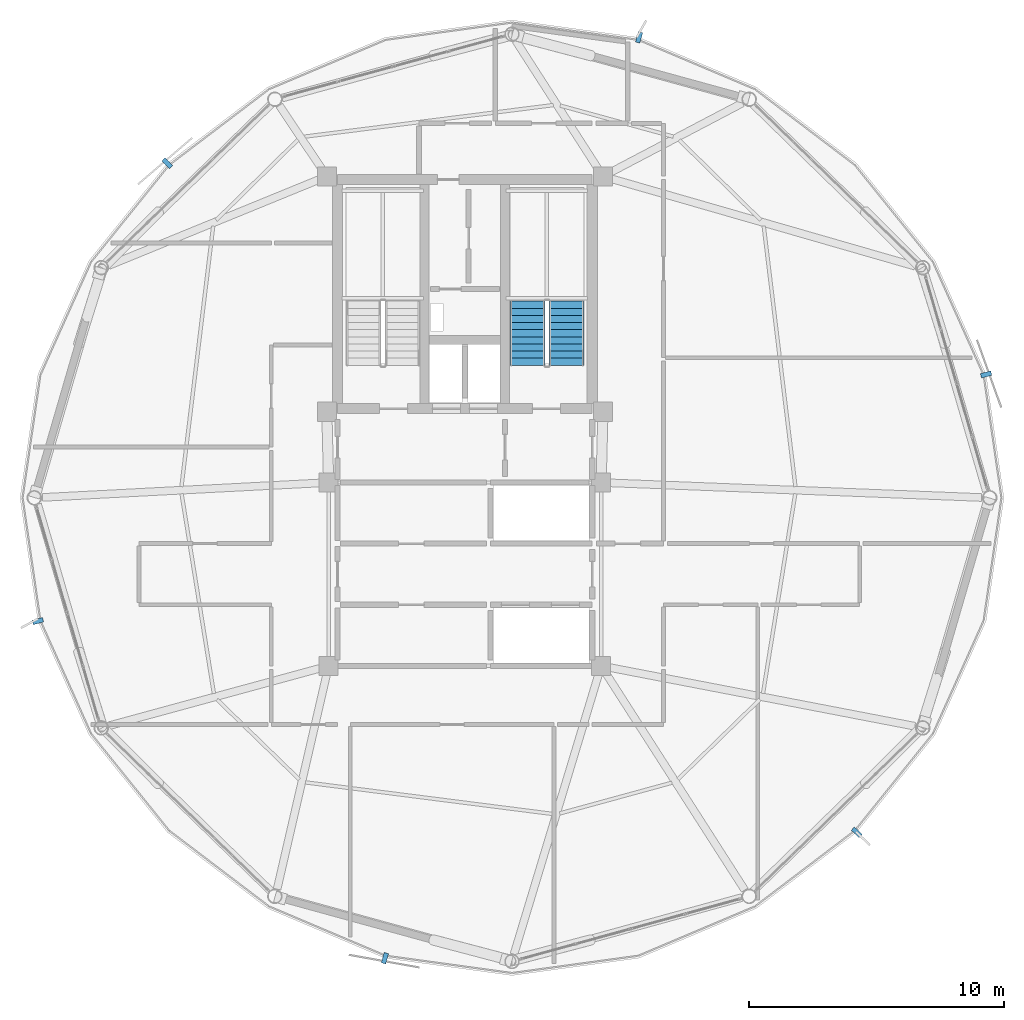
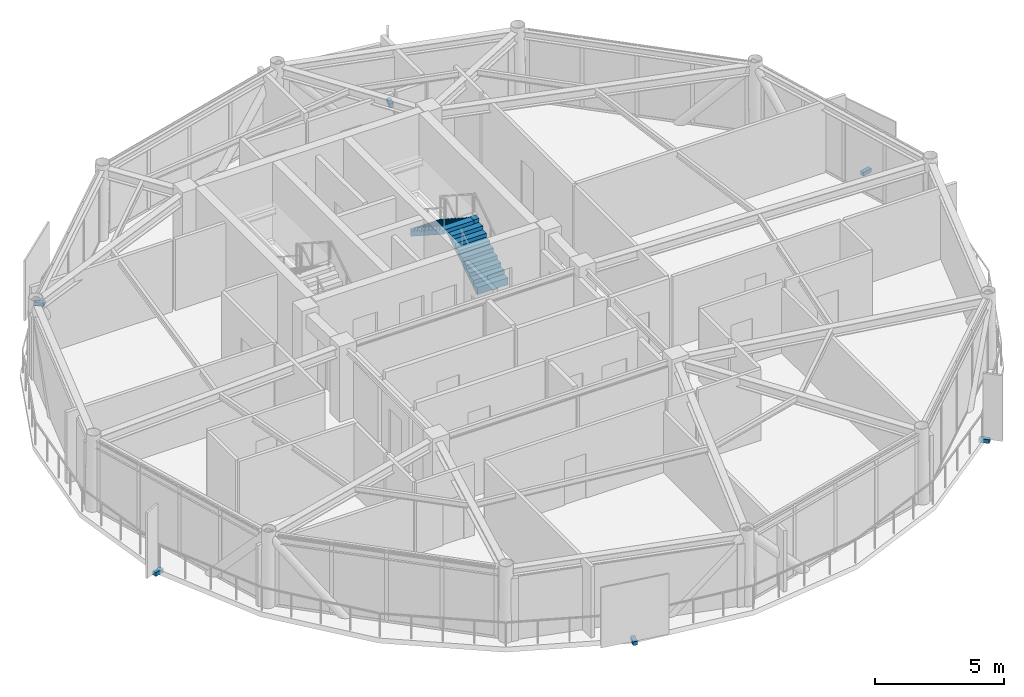
# One storey, part 24 of 27: 6 discrete accessories, 2 stair flights, 1 element without a shape of its own.
"""IFC4 building model written with IfcOpenShell, lengths in metres."""

import ifcopenshell
import ifcopenshell.guid

model = None  # the IFC model being written
_history = None  # IfcOwnerHistory: only IFC2X3 demands one
_inside = {}  # id of a spatial element -> (the spatial element, [elements in it])
_under = {}  # id of a project, library or spatial element -> (it, [spatial elements below it])
_declared = {}  # id of a project -> (the project, [libraries it declares])
_typed = {}  # id of a type object -> (the type object, [elements of that type])
_made_of = {}  # id of a material, layer set ... -> (it, [elements and type objects made of it])


def new_model(schema):
    """Start an empty IFC model of exactly this schema.

    Asked for "IFC4X3", IfcOpenShell would pick the latest addendum, in which some entities
    have other attributes; the version numbers below select the first issue.
    IFC2X3 requires an IfcOwnerHistory on every rooted entity: one is made here for all.
    """
    global model, _history
    if schema == "IFC4X3":
        model = ifcopenshell.file(schema_version=(4, 3, 0, 0))
    else:
        model = ifcopenshell.file(schema=schema)
    _inside.clear()
    _under.clear()
    _declared.clear()
    _typed.clear()
    _made_of.clear()
    _history = None
    if model.schema == "IFC2X3":
        org = make("IfcOrganization", Name="unknown")
        user = make(
            "IfcPersonAndOrganization",
            ThePerson=make("IfcPerson", FamilyName="unknown"),
            TheOrganization=org,
        )
        app = make(
            "IfcApplication",
            ApplicationDeveloper=org,
            Version="unknown",
            ApplicationFullName="unknown",
            ApplicationIdentifier="unknown",
        )
        _history = make(
            "IfcOwnerHistory",
            OwningUser=user,
            OwningApplication=app,
            ChangeAction="ADDED",
            CreationDate=0,
        )
    return model


def make(cls, **values):
    """One entity of the class cls with the attributes given. An attribute that is None is left unset."""
    return model.create_entity(
        cls, **{name: value for name, value in values.items() if value is not None}
    )


def rooted(cls, **values):
    """An entity with a GlobalId (a new one), such as an element, a storey or a relation."""
    return make(cls, GlobalId=ifcopenshell.guid.new(), OwnerHistory=_history, **values)


def si_unit(unit_type, name, prefix=None):
    """IfcSIUnit, for example si_unit("LENGTHUNIT", "METRE", prefix="MILLI")."""
    return make("IfcSIUnit", UnitType=unit_type, Prefix=prefix, Name=name)


def assignment(units):
    """IfcUnitAssignment: the units of a project."""
    return None if units is None else make("IfcUnitAssignment", Units=units)


def point(xyz):
    """IfcCartesianPoint."""
    return None if xyz is None else make("IfcCartesianPoint", Coordinates=xyz)


def direction(xyz):
    """IfcDirection."""
    return None if xyz is None else make("IfcDirection", DirectionRatios=xyz)


def frame(location, z_axis=None, x_axis=None):
    """IfcAxis2Placement3D, a coordinate frame: its origin and axes. An axis left out is left unset."""
    return make(
        "IfcAxis2Placement3D",
        Location=point(location),
        Axis=direction(z_axis),
        RefDirection=direction(x_axis),
    )


def frame_2d(location, x_axis=None):
    """IfcAxis2Placement2D, a coordinate frame in the plane: its origin and x axis."""
    return make(
        "IfcAxis2Placement2D", Location=point(location), RefDirection=direction(x_axis)
    )


def origin():
    """The frame at (0, 0, 0) with its axes left unset."""
    return frame((0.0, 0.0, 0.0))


def origin_2d():
    """The frame at (0, 0) in the plane with its x axis left unset."""
    return frame_2d((0.0, 0.0))


def place(relative_to, where):
    """IfcLocalPlacement: puts the frame where relative to a parent placement (None: the world)."""
    return make(
        "IfcLocalPlacement", PlacementRelTo=relative_to, RelativePlacement=where
    )


def context(
    kind, dimensions, precision=None, world=None, true_north=None, identifier=None
):
    """IfcGeometricRepresentationContext, for example the 3D "Model" context."""
    return make(
        "IfcGeometricRepresentationContext",
        ContextIdentifier=identifier,
        ContextType=kind,
        CoordinateSpaceDimension=dimensions,
        Precision=precision,
        WorldCoordinateSystem=world,
        TrueNorth=true_north,
    )


def subcontext(parent, identifier, kind, view, scale=None):
    """IfcGeometricRepresentationSubContext, for example "Body" below "Model"."""
    return make(
        "IfcGeometricRepresentationSubContext",
        ContextIdentifier=identifier,
        ContextType=kind,
        ParentContext=parent,
        TargetScale=scale,
        TargetView=view,
    )


def project(units=None, contexts=None):
    """IfcProject with its units and contexts."""
    return rooted(
        "IfcProject",
        Name="project",
        RepresentationContexts=contexts,
        UnitsInContext=assignment(units),
    )


def spatial(cls, under=None, at=None, **own):
    """A site, building, storey or space (cls), placed at a placement, below another one or the project."""
    s = rooted(cls, ObjectPlacement=at, **own)
    if under is not None:
        _under.setdefault(under.id(), (under, []))[1].append(s)
    return s


def polyline(points):
    """IfcPolyline through the points."""
    return make("IfcPolyline", Points=[point(p) for p in points])


def profile(cls, at=None, kind="AREA", **sizes):
    """A parametric profile (cls). Its sizes go by their IFC names, for example OverallWidth=200.0."""
    return make(cls, ProfileType=kind, Position=at, **sizes)


def rectangle(**sizes):
    """IfcRectangleProfileDef."""
    return profile("IfcRectangleProfileDef", **sizes)


def outline(outer, holes=None, kind="AREA"):
    """IfcArbitraryClosedProfileDef: a profile drawn as a closed curve; with holes, ...WithVoids."""
    if holes is None:
        return make("IfcArbitraryClosedProfileDef", ProfileType=kind, OuterCurve=outer)
    return make(
        "IfcArbitraryProfileDefWithVoids",
        ProfileType=kind,
        OuterCurve=outer,
        InnerCurves=holes,
    )


def extrude(swept, where, along, depth):
    """IfcExtrudedAreaSolid: the profile swept, set in the frame where, extruded along a direction by depth."""
    return make(
        "IfcExtrudedAreaSolid",
        SweptArea=swept,
        Position=where,
        ExtrudedDirection=direction(along),
        Depth=depth,
    )


def shape(context_of_items, identifier, shape_type, items):
    """IfcShapeRepresentation: the items that make up one representation, for example the "Body"."""
    return make(
        "IfcShapeRepresentation",
        ContextOfItems=context_of_items,
        RepresentationIdentifier=identifier,
        RepresentationType=shape_type,
        Items=items,
    )


def source(mapping_origin, context_of_items, identifier, shape_type, items):
    """IfcRepresentationMap: a shape defined once, which mapped items show again and again."""
    return make(
        "IfcRepresentationMap",
        MappingOrigin=mapping_origin,
        MappedRepresentation=shape(context_of_items, identifier, shape_type, items),
    )


def transform(
    local_origin,
    x_axis=None,
    y_axis=None,
    z_axis=None,
    scale=None,
    scale2=None,
    scale3=None,
    uniform=True,
):
    """IfcCartesianTransformationOperator3D, or its non-uniform kind. x_axis, y_axis, z_axis: its Axis1, 2, 3."""
    if uniform:
        return make(
            "IfcCartesianTransformationOperator3D",
            Axis1=direction(x_axis),
            Axis2=direction(y_axis),
            LocalOrigin=point(local_origin),
            Scale=scale,
            Axis3=direction(z_axis),
        )
    return make(
        "IfcCartesianTransformationOperator3DnonUniform",
        Axis1=direction(x_axis),
        Axis2=direction(y_axis),
        LocalOrigin=point(local_origin),
        Scale=scale,
        Axis3=direction(z_axis),
        Scale2=scale2,
        Scale3=scale3,
    )


def mapped(mapping_source, mapping_target):
    """IfcMappedItem: shows the shape of a source again, moved by a transform."""
    return make(
        "IfcMappedItem", MappingSource=mapping_source, MappingTarget=mapping_target
    )


def material(Name=None, Category=None):
    """IfcMaterial."""
    return make("IfcMaterial", Name=Name, Category=Category)


def made_of(thing, what):
    """Note that an element or type object is made of a material, layer set ...; save() writes the relation."""
    if what is not None:
        _made_of.setdefault(what.id(), (what, []))[1].append(thing)
    return thing


def type_object(cls, material=None, **own):
    """A type object (cls), such as IfcWallType, which elements share."""
    return made_of(rooted(cls, **own), material)


def type_shapes(of_type, sources):
    """Give a type object the sources (RepresentationMaps) that its elements show as mapped items."""
    of_type.RepresentationMaps = sources


def element(
    cls,
    number,
    at=None,
    inside=None,
    cuts=None,
    type_object=None,
    material=None,
    context=None,
    identifier="Body",
    shape_type=None,
    held_by="IfcProductDefinitionShape",
    body=None,
    shapes=None,
    **own,
):
    """One element of the class cls, such as IfcWall. Its Tag is "e" and its number.

    at: its placement. inside: the storey or other place that contains it. cuts: it is an
    opening in that element (IfcRelVoidsElement). A single representation is given by context,
    identifier, shape_type and body (its items); several are given by shapes. held_by: the class
    of the entity that holds the representations. save() writes the other relations.
    """
    e = rooted(cls, Tag="e%d" % number, ObjectPlacement=at, **own)
    if body is not None:
        shapes = [shape(context, identifier, shape_type, body)]
    if shapes is not None:
        e.Representation = make(held_by, Representations=shapes)
    if inside is not None:
        _inside.setdefault(inside.id(), (inside, []))[1].append(e)
    if cuts is not None:
        rooted(
            "IfcRelVoidsElement", RelatingBuildingElement=cuts, RelatedOpeningElement=e
        )
    if type_object is not None:
        _typed.setdefault(type_object.id(), (type_object, []))[1].append(e)
    return made_of(e, material)


def aggregate(whole, parts):
    """IfcRelAggregates: a whole, such as a stair, and the parts it consists of."""
    return rooted("IfcRelAggregates", RelatingObject=whole, RelatedObjects=parts)


def save(model, path):
    """Write the relations noted so far, then the file.

    IfcRelAggregates (storeys below a building ...), IfcRelContainedInSpatialStructure (elements
    in a storey), IfcRelDefinesByType, IfcRelAssociatesMaterial and IfcRelDeclares: one each for
    every whole, place, type object, material and project.
    """
    for whole, parts in _under.values():
        aggregate(whole, parts)
    for where, things in _inside.values():
        rooted(
            "IfcRelContainedInSpatialStructure",
            RelatedElements=things,
            RelatingStructure=where,
        )
    for kind, things in _typed.values():
        rooted("IfcRelDefinesByType", RelatedObjects=things, RelatingType=kind)
    for what, things in _made_of.values():
        rooted("IfcRelAssociatesMaterial", RelatedObjects=things, RelatingMaterial=what)
    for by, libraries in _declared.values():
        rooted("IfcRelDeclares", RelatingContext=by, RelatedDefinitions=libraries)
    model.write(path)


model = new_model("IFC4")

# Units and contexts
model_context = context("Model", 3, precision=1e-05, world=origin(), true_north=direction((0.0, 1.0)))
body_context = subcontext(model_context, "Body", "Model", "MODEL_VIEW")
ifc_project = project(units=[si_unit("LENGTHUNIT", "METRE"), si_unit("AREAUNIT", "SQUARE_METRE"), si_unit("VOLUMEUNIT", "CUBIC_METRE"), si_unit("PLANEANGLEUNIT", "RADIAN"), si_unit("MASSUNIT", "GRAM", prefix="KILO")], contexts=[model_context])

# Site, building, storey
site_placement = place(None, origin())
site = spatial("IfcSite", under=ifc_project, at=site_placement, CompositionType="ELEMENT")
building_placement = place(site_placement, origin())
building = spatial("IfcBuilding", under=site, at=building_placement, Name="Varnakorn Sky Granary", CompositionType="ELEMENT")
storey_placement = place(building_placement, frame((0.0, 0.0, 232.800048828125)))
storey = spatial("IfcBuildingStorey", under=building, at=storey_placement, Name="L59", CompositionType="ELEMENT", Elevation=232.800048828125)

# Stair, stair flights
ifc_material_1 = material(Name="Concrete C40/50", Category="concrete")
stair_type = type_object("IfcStairType", Name="ST-MAIN-ASSEMBLY", PredefinedType="HALF_TURN_STAIR", material=ifc_material_1)
stair_placement = place(storey_placement, origin())
stair = element("IfcStair", 1, at=stair_placement, inside=storey, type_object=stair_type, Name="L59 Protected Exit Stair ST-2", PredefinedType="HALF_TURN_STAIR")
stair_flight_type = type_object("IfcStairFlightType", Name="ST-MAIN-FLIGHT", PredefinedType="STRAIGHT", material=ifc_material_1)
stair_flight_1_placement = place(storey_placement, frame((6.989990234375, 5.199951171875, 0.0), z_axis=(0.0, 0.0, 1.0), x_axis=(0.0, 1.0, 0.0)))
stair_flight_1 = element("IfcStairFlight", 2, at=stair_flight_1_placement, type_object=stair_flight_type, Name="ST-2 flight 1", NumberOfRisers=10, NumberOfTreads=9, PredefinedType="STRAIGHT", RiserHeight=0.18, TreadLength=0.28, context=body_context, shape_type="SweptSolid", body=[
    extrude(outline(polyline([(0.0, -0.14990234375), (0.0, 0.0), (0.0, 0.179931640625), (0.280029296875, 0.179931640625), (0.280029296875, 0.360107421875), (0.56005859375, 0.360107421875), (0.56005859375, 0.5400390625), (0.840087890625, 0.5400390625), (0.840087890625, 0.719970703125), (1.1201171875, 0.719970703125), (1.1201171875, 0.89990234375), (1.39990234375, 0.89990234375), (1.39990234375, 1.080078125), (1.679931640625, 1.080078125), (1.679931640625, 1.260009765625), (1.9599609375, 1.260009765625), (1.9599609375, 1.43994140625), (2.239990234375, 1.43994140625), (2.239990234375, 1.6201171875), (2.52001953125, 1.6201171875), (2.52001953125, 1.800048828125), (2.52001953125, 1.44189453125), (0.050048828125, -0.14990234375), (0.0, -0.14990234375)])), frame((0.0, 0.68994140625, 0.0), z_axis=(0.0, -1.0, 0.0), x_axis=(1.0, 0.0, 0.0)), (0.0, 0.0, 1.0), 1.3798828125),
])
stair_flight_2_placement = place(storey_placement, frame((5.4599609375, 7.719970703125, 1.800048828125), z_axis=(0.0, 0.0, 1.0), x_axis=(0.0, -1.0, 0.0)))
stair_flight_2 = element("IfcStairFlight", 3, at=stair_flight_2_placement, type_object=stair_flight_type, Name="ST-2 flight 2", NumberOfRisers=10, NumberOfTreads=9, PredefinedType="STRAIGHT", RiserHeight=0.18, TreadLength=0.28, context=body_context, shape_type="SweptSolid", body=[
    extrude(outline(polyline([(0.0, -0.14990234375), (0.0, 0.0), (0.0, 0.179931640625), (0.280029296875, 0.179931640625), (0.280029296875, 0.360107421875), (0.56005859375, 0.360107421875), (0.56005859375, 0.5400390625), (0.840087890625, 0.5400390625), (0.840087890625, 0.719970703125), (1.1201171875, 0.719970703125), (1.1201171875, 0.89990234375), (1.39990234375, 0.89990234375), (1.39990234375, 1.080078125), (1.679931640625, 1.080078125), (1.679931640625, 1.260009765625), (1.9599609375, 1.260009765625), (1.9599609375, 1.43994140625), (2.239990234375, 1.43994140625), (2.239990234375, 1.6201171875), (2.52001953125, 1.6201171875), (2.52001953125, 1.800048828125), (2.52001953125, 1.44189453125), (0.050048828125, -0.14990234375), (0.0, -0.14990234375)])), frame((0.0, 0.68994140625, 0.0), z_axis=(0.0, -1.0, 0.0), x_axis=(1.0, 0.0, 0.0)), (0.0, 0.0, 1.0), 1.3798828125),
])
aggregate(stair, [stair_flight_1, stair_flight_2])

# Discrete accessories
ifc_material_2 = material(Name="Steel S355JR", Category="steel")
discrete_accessory_type = type_object("IfcDiscreteAccessoryType", Name="AC-BRK-01", PredefinedType="BRACKET", material=ifc_material_2)
shared_shape = source(origin(), body_context, "Body", "SweptSolid", [
    extrude(rectangle(XDim=0.179931640625, YDim=0.419921875, at=origin_2d()), origin(), (0.0, 0.0, 1.0), 0.179931640625),
])
type_shapes(discrete_accessory_type, [shared_shape])
for number, where, z_axis, x_axis, name in (
    (4, (23.464599609375, 4.84228515625, -0.2001953125), (0.0, 0.0, 1.0), (-0.251762045941, 0.967789167238, 0.0), "Facade Solar-Screen Outrigger Bracket L59-01"),
    (5, (9.83837890625, 18.0751953125, -0.2001953125), (0.0, 0.0, 1.0), (-0.963961581439, 0.266041480807, 0.0), "Facade Solar-Screen Outrigger Bracket L59-03"),
    (6, (-8.682373046875, 13.135498046875, -0.2001953125), (0.0, 0.0, 1.0), (-0.696502289481, -0.717554569875, 0.0), "Facade Solar-Screen Outrigger Bracket L59-05"),
    (7, (-13.764404296875, -4.84228515625, -0.2001953125), (0.0, 0.0, 1.0), (0.251762045941, -0.967789167238, 0.0), "Facade Solar-Screen Outrigger Bracket L59-07"),
    (8, (-0.138427734375, -18.0751953125, -0.2001953125), (0.0, 0.0, 1.0), (0.963961581439, -0.266041480807, 0.0), "Facade Solar-Screen Outrigger Bracket L59-09"),
    (9, (18.38232421875, -13.135498046875, -0.2001953125), (0.0, 0.0, 1.0), (0.696502289481, 0.717554569875, 0.0), "Facade Solar-Screen Outrigger Bracket L59-11"),
):
    element("IfcDiscreteAccessory", number, at=place(storey_placement, frame(where, z_axis=z_axis, x_axis=x_axis)), inside=storey, type_object=discrete_accessory_type, Name=name, PredefinedType="BRACKET", context=body_context, shape_type="MappedRepresentation", body=[
        mapped(shared_shape, transform((0.0, 0.0, 0.0), x_axis=(1.0, 0.0, 0.0), y_axis=(0.0, 1.0, 0.0), z_axis=(0.0, 0.0, 1.0), scale=1.0)),
    ])

save(model, "model.ifc")
